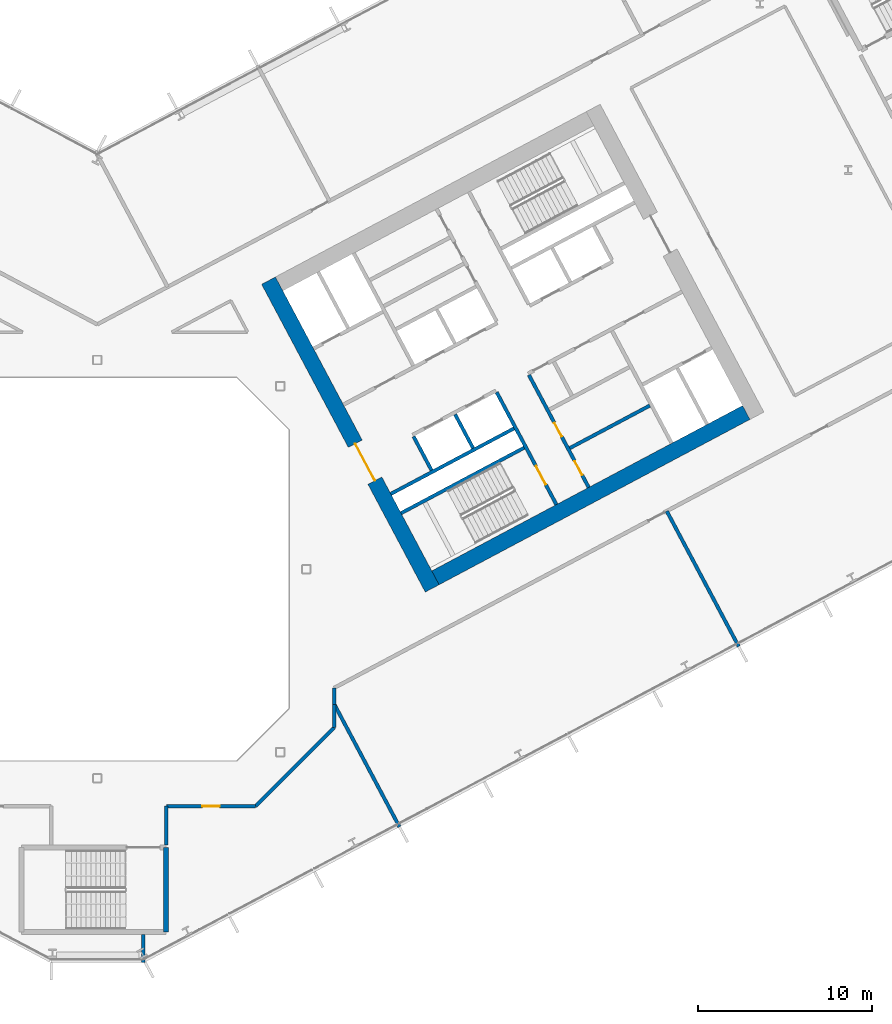
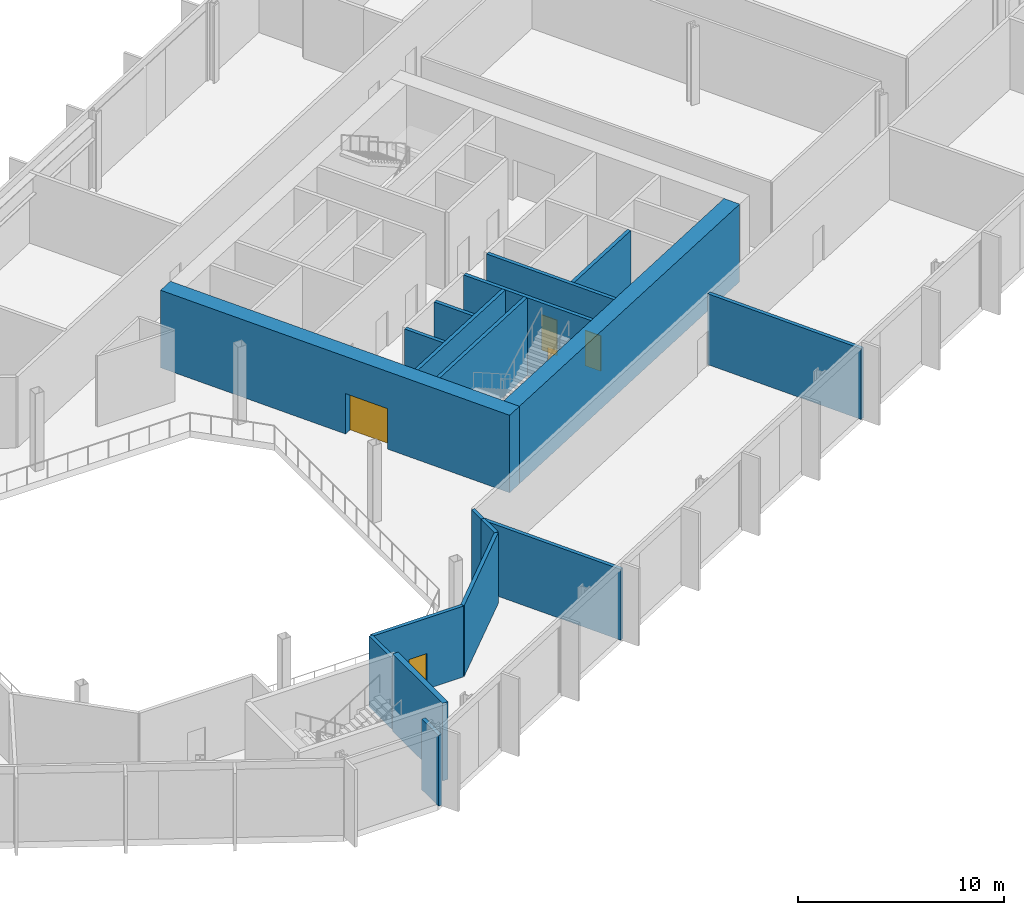
# One storey, part 17 of 32: 18 walls, 5 doors, 5 openings.
"""IFC4 building model written with IfcOpenShell, lengths in metres."""

from ifc_helpers import new_model, si_unit, direction, frame, frame_2d, origin, place, context, subcontext, project, spatial, rectangle, extrude, material, layer, layer_set, type_object, element, fill, save


model = new_model("IFC4")

# Units and contexts
model_context = context("Model", 3, precision=1e-05, world=origin(), true_north=direction((0.0, 1.0)))
body_context = subcontext(model_context, "Body", "Model", "MODEL_VIEW")
ifc_project = project(units=[si_unit("LENGTHUNIT", "METRE"), si_unit("AREAUNIT", "SQUARE_METRE"), si_unit("VOLUMEUNIT", "CUBIC_METRE"), si_unit("PLANEANGLEUNIT", "RADIAN"), si_unit("MASSUNIT", "GRAM", prefix="KILO")], contexts=[model_context])

# Site, building, storey
site_placement = place(None, origin())
site = spatial("IfcSite", under=ifc_project, at=site_placement, CompositionType="ELEMENT")
building_placement = place(site_placement, origin())
building = spatial("IfcBuilding", under=site, at=building_placement, Name="Cormorant Relay Tower", CompositionType="ELEMENT")
storey_placement = place(building_placement, frame((0.0, 0.0, 75.39990234375)))
storey = spatial("IfcBuildingStorey", under=building, at=storey_placement, Name="L14", CompositionType="ELEMENT", Elevation=75.39990234375)

# Walls
ifc_material_1 = material(Name="Concrete 40 MPa", Category="concrete")
ifc_layer_1 = layer(ifc_material_1, 0.199951171875)
ifc_layer_set_1 = layer_set([ifc_layer_1], Name="Core internal wall 200")
wall_type_1 = type_object("IfcWallType", Name="Core internal wall 200", PredefinedType="SOLIDWALL", material=ifc_layer_set_1)
wall_1_placement = place(storey_placement, frame((21.567626953125, 6.9375, 0.0), z_axis=(0.0, 0.0, 1.0), x_axis=(-0.469533832133, 0.882914480843, 0.0)))
element("IfcWall", 1, at=wall_1_placement, inside=storey, type_object=wall_type_1, Name="L14 core B shaft and room wall", PredefinedType="SOLIDWALL", context=body_context, shape_type="SweptSolid", body=[
    extrude(rectangle(XDim=2.199951171875, YDim=0.199951171875, at=frame_2d((1.10009765625, 0.0))), origin(), (0.0, 0.0, 1.0), 4.60009765625),
])
wall_2_placement = place(storey_placement, frame((27.11474609375, 6.942138671875, 0.0), z_axis=(0.0, 0.0, 1.0), x_axis=(0.882934506056, 0.469496174655, 0.0)))
element("IfcWall", 2, at=wall_2_placement, inside=storey, type_object=wall_type_1, Name="L14 core B shaft and room wall", PredefinedType="SOLIDWALL", context=body_context, shape_type="SweptSolid", body=[
    extrude(rectangle(XDim=5.199951171875, YDim=0.199951171875, at=frame_2d((2.60009765625, 0.0))), origin(), (0.0, 0.0, 1.0), 4.60009765625),
])
ifc_material_2 = material(Name="Concrete 50 MPa", Category="concrete")
ifc_layer_2 = layer(ifc_material_2, 0.199951171875)
ifc_layer_set_2 = layer_set([ifc_layer_2], Name="Core shaft wall 200")
wall_type_2 = type_object("IfcWallType", Name="Core shaft wall 200", PredefinedType="SHEAR", material=ifc_layer_set_2)
wall_3_placement = place(storey_placement, frame((19.18359375, 5.669921875, 0.0), z_axis=(0.0, 0.0, 1.0), x_axis=(-0.4694473164, 0.882960484464, 0.0)))
element("IfcWall", 3, at=wall_3_placement, inside=storey, type_object=wall_type_2, Name="L14 core B shaft wall", PredefinedType="SHEAR", context=body_context, shape_type="SweptSolid", body=[
    extrude(rectangle(XDim=2.199951171875, YDim=0.199951171875, at=frame_2d((1.10009765625, 0.0))), origin(), (0.0, 0.0, 1.0), 4.60009765625),
])

# Wall, opening, door
wall_4_placement = place(storey_placement, frame((26.345947265625, 3.701904296875, 0.0), z_axis=(0.0, 0.0, 1.0), x_axis=(-0.469480409012, 0.88294288918, 0.0)))
wall_4 = element("IfcWall", 4, at=wall_4_placement, inside=storey, type_object=wall_type_2, Name="L14 core B shaft wall", PredefinedType="SHEAR", context=body_context, shape_type="SweptSolid", body=[
    extrude(rectangle(XDim=7.300048828125, YDim=0.199951171875, at=frame_2d((3.64990234375, 0.0))), origin(), (0.0, 0.0, 1.0), 4.60009765625),
])
opening_1_placement = place(wall_4_placement, frame((1.300048828125, 0.0, 0.0)))
opening_1 = element("IfcOpeningElement", 5, at=opening_1_placement, cuts=wall_4, Name="Opening CDB-026", PredefinedType="OPENING", context=body_context, shape_type="SweptSolid", body=[
    extrude(rectangle(XDim=1.199951171875, YDim=2.10009765625, at=frame_2d((0.60009765625, 1.050048828125))), frame((0.0, 0.10986328125, 0.0), z_axis=(0.0, -1.0, 0.0), x_axis=(1.0, 0.0, 0.0)), (0.0, 0.0, 1.0), 0.219970703125),
])
ifc_material_3 = material(Name="Steel fire door", Category="steel")
door_type_1 = type_object("IfcDoorType", Name="Core stair door 1200x2100", OperationType="SINGLE_SWING_LEFT", PredefinedType="DOOR", material=ifc_material_3)
door_1_placement = place(opening_1_placement, origin())
door_1 = element("IfcDoor", 6, at=door_1_placement, inside=storey, type_object=door_type_1, Name="Core stair door 1200x2100", OperationType="SINGLE_SWING_RIGHT", OverallHeight=2.10009765625, OverallWidth=1.199951171875, PredefinedType="DOOR", context=body_context, shape_type="SweptSolid", body=[
    extrude(rectangle(XDim=1.199951171875, YDim=2.10009765625, at=frame_2d((0.60009765625, 1.050048828125))), frame((0.0, 0.02490234375, 0.0), z_axis=(0.0, -1.0, 0.0), x_axis=(1.0, 0.0, 0.0)), (0.0, 0.0, 1.0), 0.050048828125),
])
fill(opening_1, door_1)

# Wall, openings, doors
wall_5_placement = place(storey_placement, frame((28.199951171875, 4.687744140625, 0.0), z_axis=(0.0, 0.0, 1.0), x_axis=(-0.469454336211, 0.882956752176, 0.0)))
wall_5 = element("IfcWall", 7, at=wall_5_placement, inside=storey, type_object=wall_type_2, Name="L14 core B shaft wall", PredefinedType="SHEAR", context=body_context, shape_type="SweptSolid", body=[
    extrude(rectangle(XDim=7.300048828125, YDim=0.199951171875, at=frame_2d((3.64990234375, 0.0))), origin(), (0.0, 0.0, 1.0), 4.60009765625),
])
opening_2_placement = place(wall_5_placement, frame((0.800048828125, 0.0, 0.0)))
opening_2 = element("IfcOpeningElement", 8, at=opening_2_placement, cuts=wall_5, Name="Opening CDD-124", PredefinedType="OPENING", context=body_context, shape_type="SweptSolid", body=[
    extrude(rectangle(XDim=0.89990234375, YDim=2.10009765625, at=frame_2d((0.449951171875, 1.050048828125))), frame((0.0, 0.10986328125, 0.0), z_axis=(0.0, -1.0, 0.0), x_axis=(1.0, 0.0, 0.0)), (0.0, 0.0, 1.0), 0.219970703125),
])
opening_3_placement = place(wall_5_placement, frame((3.300048828125, 0.0, 0.0)))
opening_3 = element("IfcOpeningElement", 9, at=opening_3_placement, cuts=wall_5, Name="Opening CDD-125", PredefinedType="OPENING", context=body_context, shape_type="SweptSolid", body=[
    extrude(rectangle(XDim=0.89990234375, YDim=2.10009765625, at=frame_2d((0.449951171875, 1.050048828125))), frame((0.0, 0.10986328125, 0.0), z_axis=(0.0, -1.0, 0.0), x_axis=(1.0, 0.0, 0.0)), (0.0, 0.0, 1.0), 0.219970703125),
])
ifc_material_4 = material(Name="Steel fire door", Category="steel")
door_type_2 = type_object("IfcDoorType", Name="Core room door 900x2100", OperationType="SINGLE_SWING_LEFT", PredefinedType="DOOR", material=ifc_material_4)
door_2_placement = place(opening_2_placement, frame((0.89990234375, 0.0, 0.0), z_axis=(0.0, 0.0, 1.0), x_axis=(-1.0, 0.0, 0.0)))
door_2 = element("IfcDoor", 10, at=door_2_placement, inside=storey, type_object=door_type_2, Name="Core room door 900x2100", OperationType="SINGLE_SWING_LEFT", OverallHeight=2.10009765625, OverallWidth=0.89990234375, PredefinedType="DOOR", context=body_context, shape_type="SweptSolid", body=[
    extrude(rectangle(XDim=0.89990234375, YDim=2.10009765625, at=frame_2d((0.449951171875, 1.050048828125))), frame((0.0, 0.02490234375, 0.0), z_axis=(0.0, -1.0, 0.0), x_axis=(1.0, 0.0, 0.0)), (0.0, 0.0, 1.0), 0.050048828125),
])
fill(opening_2, door_2)
door_3_placement = place(opening_3_placement, frame((0.89990234375, 0.0, 0.0), z_axis=(0.0, 0.0, 1.0), x_axis=(-1.0, 0.0, 0.0)))
door_3 = element("IfcDoor", 11, at=door_3_placement, inside=storey, type_object=door_type_2, Name="Core room door 900x2100", OperationType="SINGLE_SWING_LEFT", OverallHeight=2.10009765625, OverallWidth=0.89990234375, PredefinedType="DOOR", context=body_context, shape_type="SweptSolid", body=[
    extrude(rectangle(XDim=0.89990234375, YDim=2.10009765625, at=frame_2d((0.449951171875, 1.050048828125))), frame((0.0, 0.02490234375, 0.0), z_axis=(0.0, -1.0, 0.0), x_axis=(1.0, 0.0, 0.0)), (0.0, 0.0, 1.0), 0.050048828125),
])
fill(opening_3, door_3)

# Walls
for number, where, z_axis, x_axis, name in (
    (12, (17.43359375, 3.210205078125, 0.0), (0.0, 0.0, 1.0), (0.882940221191, 0.469485426614, 0.0), "L14 core B shaft wall"),
    (13, (16.8466796875, 4.31396484375, 0.0), (0.0, 0.0, 1.0), (0.882940221191, 0.469485426614, 0.0), "L14 core B shaft wall"),
):
    element("IfcWall", number, at=place(storey_placement, frame(where, z_axis=z_axis, x_axis=x_axis)), inside=storey, type_object=wall_type_2, Name=name, PredefinedType="SHEAR", context=body_context, shape_type="SweptSolid", body=[
        extrude(rectangle(XDim=8.0, YDim=0.199951171875, at=frame_2d((4.0, 0.0))), origin(), (0.0, 0.0, 1.0), 4.60009765625),
    ])

# Wall, opening, door
ifc_material_5 = material(Name="Concrete 70 MPa", Category="concrete")
ifc_layer_3 = layer(ifc_material_5, 0.89990234375)
ifc_layer_set_3 = layer_set([ifc_layer_3], Name="Core wall 900")
wall_type_3 = type_object("IfcWallType", Name="Core wall 900", PredefinedType="SHEAR", material=ifc_layer_set_3)
wall_6_placement = place(storey_placement, frame((19.21923828125, -1.106689453125, 0.0), z_axis=(0.0, 0.0, 1.0), x_axis=(-0.46947084998, 0.882947971864, 0.0)))
wall_6 = element("IfcWall", 14, at=wall_6_placement, inside=storey, type_object=wall_type_3, Name="L14 core B wall", PredefinedType="SHEAR", context=body_context, shape_type="SweptSolid", body=[
    extrude(rectangle(XDim=20.0, YDim=0.89990234375, at=frame_2d((10.0, 0.0))), origin(), (0.0, 0.0, 1.0), 4.60009765625),
])
opening_4_placement = place(wall_6_placement, frame((7.0, 0.0, 0.0)))
opening_4 = element("IfcOpeningElement", 15, at=opening_4_placement, cuts=wall_6, Name="Opening CDA-019", PredefinedType="OPENING", context=body_context, shape_type="SweptSolid", body=[
    extrude(rectangle(XDim=2.39990234375, YDim=2.39990234375, at=frame_2d((1.199951171875, 1.199951171875))), frame((0.0, 0.4599609375, 0.0), z_axis=(0.0, -1.0, 0.0), x_axis=(1.0, 0.0, 0.0)), (0.0, 0.0, 1.0), 0.919921875),
])
ifc_material_6 = material(Name="Steel fire door", Category="steel")
door_type_3 = type_object("IfcDoorType", Name="Core lobby door 2400x2400", OperationType="DOUBLE_DOOR_SINGLE_SWING", PredefinedType="DOOR", material=ifc_material_6)
door_4_placement = place(opening_4_placement, frame((2.39990234375, 0.0, 0.0), z_axis=(0.0, 0.0, 1.0), x_axis=(-1.0, 0.0, 0.0)))
door_4 = element("IfcDoor", 16, at=door_4_placement, inside=storey, type_object=door_type_3, Name="Core lobby door 2400x2400", OperationType="DOUBLE_DOOR_SINGLE_SWING", OverallHeight=2.39990234375, OverallWidth=2.39990234375, PredefinedType="DOOR", context=body_context, shape_type="SweptSolid", body=[
    extrude(rectangle(XDim=2.39990234375, YDim=2.39990234375, at=frame_2d((1.199951171875, 1.199951171875))), frame((0.0, 0.02490234375, 0.0), z_axis=(0.0, -1.0, 0.0), x_axis=(1.0, 0.0, 0.0)), (0.0, 0.0, 1.0), 0.050048828125),
])
fill(opening_4, door_4)

# Walls
wall_7_placement = place(storey_placement, frame((19.4052734375, -0.498046875, 0.0), z_axis=(0.0, 0.0, 1.0), x_axis=(0.88294509198, 0.469476266226, 0.0)))
element("IfcWall", 17, at=wall_7_placement, inside=storey, type_object=wall_type_3, Name="L14 core B wall", PredefinedType="SHEAR", context=body_context, shape_type="SweptSolid", body=[
    extrude(rectangle(XDim=20.199951171875, YDim=0.89990234375, at=frame_2d((10.10009765625, 0.0))), origin(), (0.0, 0.0, 1.0), 4.60009765625),
])
ifc_material_7 = material(Name="Fire-rated gypsum board partition")
ifc_layer_4 = layer(ifc_material_7, 0.199951171875)
ifc_layer_set_4 = layer_set([ifc_layer_4], Name="Fire-rated gypsum partition 200")
wall_type_4 = type_object("IfcWallType", Name="Fire-rated gypsum partition 200", PredefinedType="PARTITIONING", material=ifc_layer_set_4)
wall_8_placement = place(storey_placement, frame((2.64892578125, -22.58203125, 0.0), z_axis=(0.0, 0.0, 1.0), x_axis=(0.0, 1.0, 0.0)))
element("IfcWall", 18, at=wall_8_placement, inside=storey, type_object=wall_type_4, Name="wall/L14/part/28", PredefinedType="PARTITIONING", context=body_context, shape_type="SweptSolid", body=[
    extrude(rectangle(XDim=1.6220703125, YDim=0.199951171875, at=frame_2d((0.81103515625, 0.0))), origin(), (0.0, 0.0, 1.0), 4.2001953125),
])
wall_9_placement = place(storey_placement, frame((3.949951171875, -13.60009765625, 0.0), z_axis=(0.0, 0.0, 1.0), x_axis=(0.0, -1.0, 0.0)))
element("IfcWall", 19, at=wall_9_placement, inside=storey, type_object=wall_type_4, Name="wall/L14/part/29", PredefinedType="PARTITIONING", context=body_context, shape_type="SweptSolid", body=[
    extrude(rectangle(XDim=2.239990234375, YDim=0.199951171875, at=frame_2d((1.1201171875, 0.0))), origin(), (0.0, 0.0, 1.0), 4.2001953125),
])
wall_10_placement = place(storey_placement, frame((13.60009765625, -7.756103515625, 0.0), z_axis=(0.0, 0.0, 1.0), x_axis=(0.0, -1.0, 0.0)))
element("IfcWall", 20, at=wall_10_placement, inside=storey, type_object=wall_type_4, Name="wall/L14/part/30", PredefinedType="PARTITIONING", context=body_context, shape_type="SweptSolid", body=[
    extrude(rectangle(XDim=1.32080078125, YDim=0.199951171875, at=frame_2d((0.660400390625, 0.0))), origin(), (0.0, 0.0, 1.0), 4.2001953125),
])
wall_11_placement = place(storey_placement, frame((13.60009765625, -9.076904296875, 0.0), z_axis=(0.0, 0.0, 1.0), x_axis=(-0.707106781187, -0.707106781187, 0.0)))
element("IfcWall", 21, at=wall_11_placement, inside=storey, type_object=wall_type_4, Name="wall/L14/part/31", PredefinedType="PARTITIONING", context=body_context, shape_type="SweptSolid", body=[
    extrude(rectangle(XDim=6.396728515625, YDim=0.199951171875, at=frame_2d((3.1982421875, 0.0))), origin(), (0.0, 0.0, 1.0), 4.2001953125),
])

# Wall, opening, door
wall_12_placement = place(storey_placement, frame((9.076904296875, -13.60009765625, 0.0), z_axis=(0.0, 0.0, 1.0), x_axis=(-1.0, 0.0, 0.0)))
wall_12 = element("IfcWall", 22, at=wall_12_placement, inside=storey, type_object=wall_type_4, Name="wall/L14/part/32", PredefinedType="PARTITIONING", context=body_context, shape_type="SweptSolid", body=[
    extrude(rectangle(XDim=5.091796875, YDim=0.199951171875, at=frame_2d((2.5458984375, 0.0))), origin(), (0.0, 0.0, 1.0), 4.2001953125),
])
opening_5_placement = place(wall_12_placement, frame((2.050048828125, 0.0, 0.0)))
opening_5 = element("IfcOpeningElement", 23, at=opening_5_placement, cuts=wall_12, Name="Opening FD1-076", PredefinedType="OPENING", context=body_context, shape_type="SweptSolid", body=[
    extrude(rectangle(XDim=1.0, YDim=2.10009765625, at=frame_2d((0.5, 1.050048828125))), frame((0.0, 0.10986328125, 0.0), z_axis=(0.0, -1.0, 0.0), x_axis=(1.0, 0.0, 0.0)), (0.0, 0.0, 1.0), 0.219970703125),
])
ifc_material_8 = material(Name="Fire-rated steel door", Category="steel")
door_type_4 = type_object("IfcDoorType", Name="Fire door 1000 x 2100", OperationType="SINGLE_SWING_LEFT", PredefinedType="DOOR", material=ifc_material_8)
door_5_placement = place(opening_5_placement, origin())
door_5 = element("IfcDoor", 24, at=door_5_placement, inside=storey, type_object=door_type_4, Name="door/L14/12", OperationType="SINGLE_SWING_RIGHT", OverallHeight=2.10009765625, OverallWidth=1.0, PredefinedType="DOOR", context=body_context, shape_type="SweptSolid", body=[
    extrude(rectangle(XDim=1.0, YDim=2.10009765625, at=frame_2d((0.5, 1.050048828125))), frame((0.0, 0.02490234375, 0.0), z_axis=(0.0, -1.0, 0.0), x_axis=(1.0, 0.0, 0.0)), (0.0, 0.0, 1.0), 0.050048828125),
])
fill(opening_5, door_5)

# Walls
wall_13_placement = place(storey_placement, frame((13.60009765625, -7.75, 0.0), z_axis=(0.0, 0.0, 1.0), x_axis=(0.469489555723, -0.882938025609, 0.0)))
element("IfcWall", 25, at=wall_13_placement, inside=storey, type_object=wall_type_4, Name="wall/L14/part/34", PredefinedType="PARTITIONING", context=body_context, shape_type="SweptSolid", body=[
    extrude(rectangle(XDim=7.972412109375, YDim=0.199951171875, at=frame_2d((3.986328125, 0.0))), origin(), (0.0, 0.0, 1.0), 4.2001953125),
])
wall_14_placement = place(storey_placement, frame((13.60009765625, -6.81298828125, 0.0), z_axis=(0.0, 0.0, 1.0), x_axis=(0.0, -1.0, 0.0)))
element("IfcWall", 26, at=wall_14_placement, inside=storey, type_object=wall_type_4, Name="wall/L14/part/36", PredefinedType="PARTITIONING", context=body_context, shape_type="SweptSolid", body=[
    extrude(rectangle(XDim=0.943115234375, YDim=0.199951171875, at=frame_2d((0.4716796875, 0.0))), origin(), (0.0, 0.0, 1.0), 4.2001953125),
])
wall_15_placement = place(storey_placement, frame((36.80908203125, -4.43896484375, 0.0), z_axis=(0.0, 0.0, 1.0), x_axis=(-0.469445946219, 0.882961212952, 0.0)))
element("IfcWall", 27, at=wall_15_placement, inside=storey, type_object=wall_type_4, Name="wall/L14/part/42", PredefinedType="PARTITIONING", context=body_context, shape_type="SweptSolid", body=[
    extrude(rectangle(XDim=8.800048828125, YDim=0.199951171875, at=frame_2d((4.39990234375, 0.0))), origin(), (0.0, 0.0, 1.0), 4.2001953125),
])
ifc_material_9 = material(Name="Concrete 50 MPa", Category="concrete")
ifc_layer_5 = layer(ifc_material_9, 0.300048828125)
ifc_layer_set_5 = layer_set([ifc_layer_5], Name="Remote stair wall 300")
wall_type_5 = type_object("IfcWallType", Name="Remote stair wall 300", PredefinedType="SHEAR", material=ifc_layer_set_5)
wall_16_placement = place(storey_placement, frame((3.949951171875, -15.97509765625, 0.0), z_axis=(0.0, 0.0, 1.0), x_axis=(0.0, -1.0, 0.0)))
element("IfcWall", 28, at=wall_16_placement, inside=storey, type_object=wall_type_5, Name="L14 exit stair RK1 wall", PredefinedType="SHEAR", context=body_context, shape_type="SweptSolid", body=[
    extrude(rectangle(XDim=4.849853515625, YDim=0.300048828125, at=frame_2d((2.4248046875, 0.0))), origin(), (0.0, 0.0, 1.0), 4.60009765625),
])

save(model, "model.ifc")
